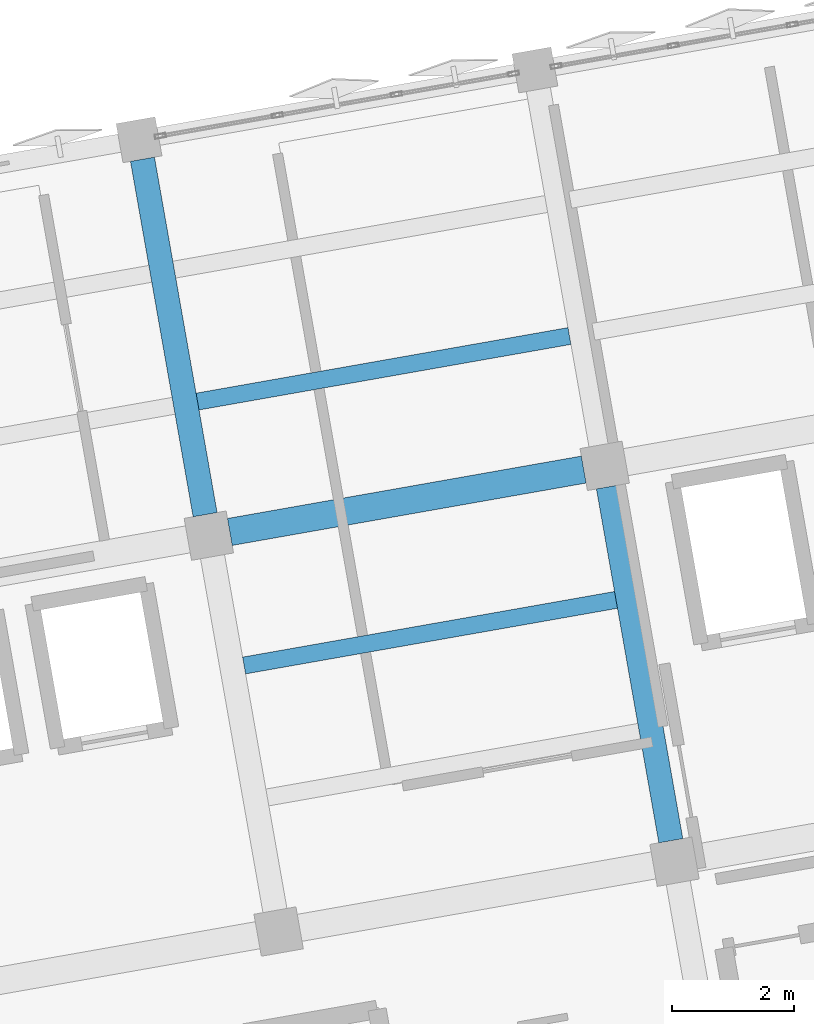
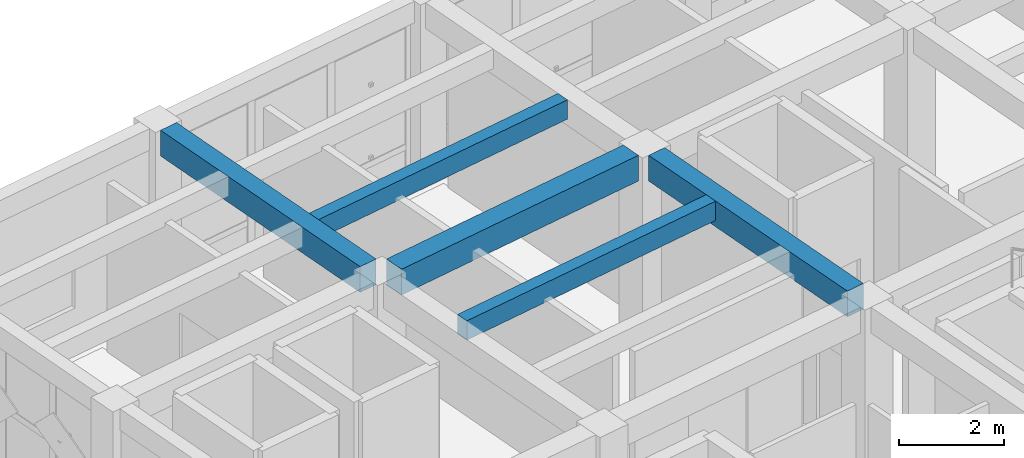
# One storey, part 5 of 39: 5 beams.
"""IFC4 building model written with IfcOpenShell, lengths in metres."""

from ifc_helpers import new_model, si_unit, direction, frame, origin, origin_2d, place, context, subcontext, project, spatial, rectangle, extrude, material, material_profile, profile_set, type_object, element, save


model = new_model("IFC4")

# Units and contexts
model_context = context("Model", 3, precision=1e-05, world=origin(), true_north=direction((0.0, 1.0)))
body_context = subcontext(model_context, "Body", "Model", "MODEL_VIEW")
ifc_project = project(units=[si_unit("LENGTHUNIT", "METRE"), si_unit("AREAUNIT", "SQUARE_METRE"), si_unit("VOLUMEUNIT", "CUBIC_METRE"), si_unit("PLANEANGLEUNIT", "RADIAN"), si_unit("MASSUNIT", "GRAM", prefix="KILO")], contexts=[model_context])

# Site, building, storey
site_placement = place(None, origin())
site = spatial("IfcSite", under=ifc_project, at=site_placement, CompositionType="ELEMENT")
building_placement = place(site_placement, origin())
building = spatial("IfcBuilding", under=site, at=building_placement, Name="Kharisveld Research Institute", CompositionType="ELEMENT")
storey_placement = place(building_placement, frame((0.0, 0.0, 23.10009765625)))
storey = spatial("IfcBuildingStorey", under=building, at=storey_placement, Name="L05", CompositionType="ELEMENT", Elevation=23.10009765625)

# Beams
ifc_material_1 = material(Name="Concrete C40/50", Category="concrete")
ifc_material_profile_1 = material_profile(ifc_material_1, rectangle(XDim=0.39990234375, YDim=0.60009765625, at=origin_2d()))
ifc_profile_set_1 = profile_set([ifc_material_profile_1], Name="Concrete C40/50")
beam_type_1 = type_object("IfcBeamType", Name="BM_RC_400x600", PredefinedType="BEAM", material=ifc_profile_set_1)
beam_1_placement = place(storey_placement, frame((9.3466796875, 49.500244140625, 4.010009765625), z_axis=(-0.173639592071, 0.984809266846, 0.0), x_axis=(-0.984809266846, -0.173639592071, 0.0)))
element("IfcBeam", 1, at=beam_1_placement, inside=storey, type_object=beam_type_1, Name="BM:V1:L05:V1_2", PredefinedType="BEAM", context=body_context, shape_type="SweptSolid", body=[
    extrude(rectangle(XDim=0.39990234375, YDim=0.60009765625, at=origin_2d()), origin(), (0.0, 0.0, 1.0), 5.925048828125),
])
beam_2_placement = place(storey_placement, frame((16.99267578125, 44.146484375, 4.010009765625), z_axis=(-0.173664946598, 0.98480479605, 0.0), x_axis=(-0.98480479605, -0.173664946598, 0.0)))
element("IfcBeam", 2, at=beam_2_placement, inside=storey, type_object=beam_type_1, Name="BM:V1:L05:V2_1", PredefinedType="BEAM", context=body_context, shape_type="SweptSolid", body=[
    extrude(rectangle(XDim=0.39990234375, YDim=0.60009765625, at=origin_2d()), origin(), (0.0, 0.0, 1.0), 5.900146484375),
])
ifc_material_2 = material(Name="Concrete C40/50", Category="concrete")
ifc_material_profile_2 = material_profile(ifc_material_2, rectangle(XDim=0.449951171875, YDim=0.60009765625, at=origin_2d()))
ifc_profile_set_2 = profile_set([ifc_material_profile_2], Name="Concrete C40/50")
beam_type_2 = type_object("IfcBeamType", Name="BM_RC_450x600", PredefinedType="BEAM", material=ifc_profile_set_2)
beam_3_placement = place(storey_placement, frame((9.752197265625, 49.21630859375, 4.010009765625), z_axis=(0.98481187206, 0.173624815763, 0.0), x_axis=(-0.173624815763, 0.98481187206, 0.0)))
element("IfcBeam", 3, at=beam_3_placement, inside=storey, type_object=beam_type_2, Name="BM:V1:L05:U1_2", PredefinedType="BEAM", context=body_context, shape_type="SweptSolid", body=[
    extrude(rectangle(XDim=0.449951171875, YDim=0.60009765625, at=origin_2d()), origin(), (0.0, 0.0, 1.0), 5.900146484375),
])
ifc_material_3 = material(Name="Concrete C40/50", Category="concrete")
ifc_material_profile_3 = material_profile(ifc_material_3, rectangle(XDim=0.280029296875, YDim=0.449951171875, at=origin_2d()))
ifc_profile_set_3 = profile_set([ifc_material_profile_3], Name="Concrete C40/50")
beam_type_3 = type_object("IfcBeamType", Name="WB_RC_280x450", PredefinedType="JOIST", material=ifc_profile_set_3)
beam_4_placement = place(storey_placement, frame((9.986572265625, 47.023681640625, 4.0849609375), z_axis=(0.984806146634, 0.173657287643, 0.0), x_axis=(-0.173657287643, 0.984806146634, 0.0)))
element("IfcBeam", 4, at=beam_4_placement, inside=storey, type_object=beam_type_3, Name="BM:V1:L05:J_1_1_R2", PredefinedType="JOIST", context=body_context, shape_type="SweptSolid", body=[
    extrude(rectangle(XDim=0.280029296875, YDim=0.449951171875, at=origin_2d()), origin(), (0.0, 0.0, 1.0), 6.199951171875),
])
beam_5_placement = place(storey_placement, frame((9.222412109375, 51.35693359375, 4.0849609375), z_axis=(0.984814067264, 0.173612363957, 0.0), x_axis=(-0.173612363957, 0.984814067264, 0.0)))
element("IfcBeam", 5, at=beam_5_placement, inside=storey, type_object=beam_type_3, Name="BM:V1:L05:J_1_2_R1", PredefinedType="JOIST", context=body_context, shape_type="SweptSolid", body=[
    extrude(rectangle(XDim=0.280029296875, YDim=0.449951171875, at=origin_2d()), origin(), (0.0, 0.0, 1.0), 6.2001953125),
])

save(model, "model.ifc")
